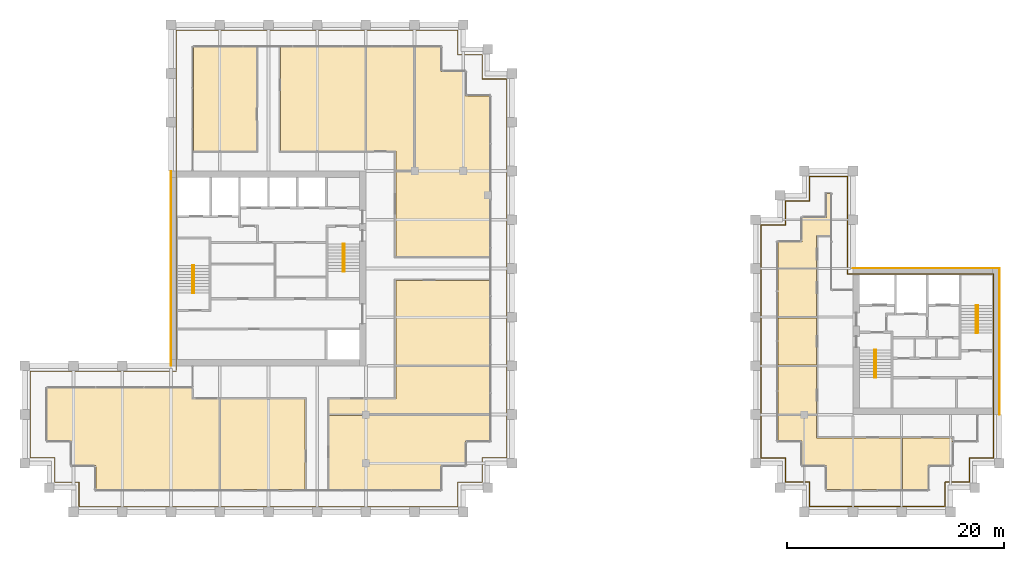
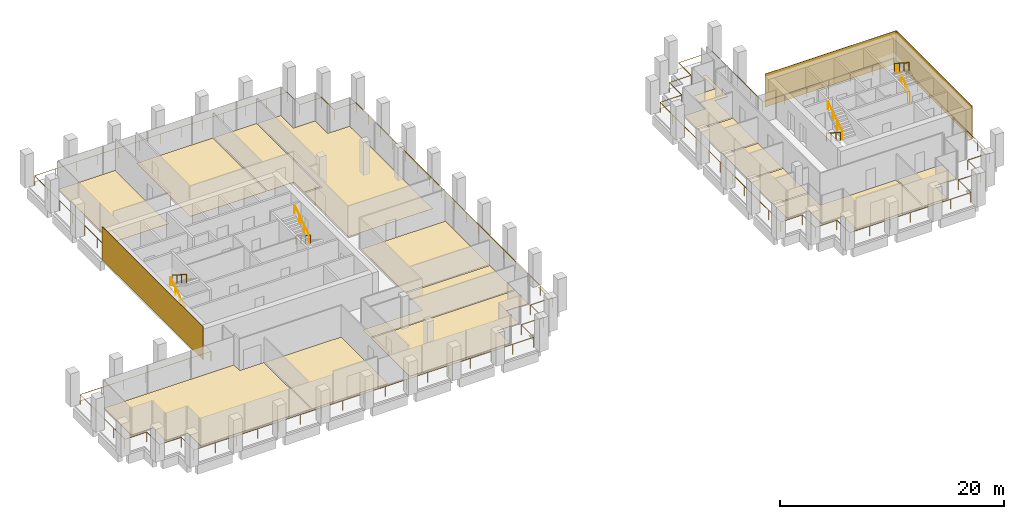
# One storey, part 40 of 40: 18 coverings, 10 railings.
"""IFC4 building model written with IfcOpenShell, lengths in metres."""

import ifcopenshell
import ifcopenshell.guid

model = None  # the IFC model being written
_history = None  # IfcOwnerHistory: only IFC2X3 demands one
_inside = {}  # id of a spatial element -> (the spatial element, [elements in it])
_under = {}  # id of a project, library or spatial element -> (it, [spatial elements below it])
_declared = {}  # id of a project -> (the project, [libraries it declares])
_typed = {}  # id of a type object -> (the type object, [elements of that type])
_made_of = {}  # id of a material, layer set ... -> (it, [elements and type objects made of it])


def new_model(schema):
    """Start an empty IFC model of exactly this schema.

    Asked for "IFC4X3", IfcOpenShell would pick the latest addendum, in which some entities
    have other attributes; the version numbers below select the first issue.
    IFC2X3 requires an IfcOwnerHistory on every rooted entity: one is made here for all.
    """
    global model, _history
    if schema == "IFC4X3":
        model = ifcopenshell.file(schema_version=(4, 3, 0, 0))
    else:
        model = ifcopenshell.file(schema=schema)
    _inside.clear()
    _under.clear()
    _declared.clear()
    _typed.clear()
    _made_of.clear()
    _history = None
    if model.schema == "IFC2X3":
        org = make("IfcOrganization", Name="unknown")
        user = make(
            "IfcPersonAndOrganization",
            ThePerson=make("IfcPerson", FamilyName="unknown"),
            TheOrganization=org,
        )
        app = make(
            "IfcApplication",
            ApplicationDeveloper=org,
            Version="unknown",
            ApplicationFullName="unknown",
            ApplicationIdentifier="unknown",
        )
        _history = make(
            "IfcOwnerHistory",
            OwningUser=user,
            OwningApplication=app,
            ChangeAction="ADDED",
            CreationDate=0,
        )
    return model


def make(cls, **values):
    """One entity of the class cls with the attributes given. An attribute that is None is left unset."""
    return model.create_entity(
        cls, **{name: value for name, value in values.items() if value is not None}
    )


def rooted(cls, **values):
    """An entity with a GlobalId (a new one), such as an element, a storey or a relation."""
    return make(cls, GlobalId=ifcopenshell.guid.new(), OwnerHistory=_history, **values)


def si_unit(unit_type, name, prefix=None):
    """IfcSIUnit, for example si_unit("LENGTHUNIT", "METRE", prefix="MILLI")."""
    return make("IfcSIUnit", UnitType=unit_type, Prefix=prefix, Name=name)


def assignment(units):
    """IfcUnitAssignment: the units of a project."""
    return None if units is None else make("IfcUnitAssignment", Units=units)


def point(xyz):
    """IfcCartesianPoint."""
    return None if xyz is None else make("IfcCartesianPoint", Coordinates=xyz)


def direction(xyz):
    """IfcDirection."""
    return None if xyz is None else make("IfcDirection", DirectionRatios=xyz)


def frame(location, z_axis=None, x_axis=None):
    """IfcAxis2Placement3D, a coordinate frame: its origin and axes. An axis left out is left unset."""
    return make(
        "IfcAxis2Placement3D",
        Location=point(location),
        Axis=direction(z_axis),
        RefDirection=direction(x_axis),
    )


def frame_2d(location, x_axis=None):
    """IfcAxis2Placement2D, a coordinate frame in the plane: its origin and x axis."""
    return make(
        "IfcAxis2Placement2D", Location=point(location), RefDirection=direction(x_axis)
    )


def origin():
    """The frame at (0, 0, 0) with its axes left unset."""
    return frame((0.0, 0.0, 0.0))


def origin_2d():
    """The frame at (0, 0) in the plane with its x axis left unset."""
    return frame_2d((0.0, 0.0))


def place(relative_to, where):
    """IfcLocalPlacement: puts the frame where relative to a parent placement (None: the world)."""
    return make(
        "IfcLocalPlacement", PlacementRelTo=relative_to, RelativePlacement=where
    )


def context(
    kind, dimensions, precision=None, world=None, true_north=None, identifier=None
):
    """IfcGeometricRepresentationContext, for example the 3D "Model" context."""
    return make(
        "IfcGeometricRepresentationContext",
        ContextIdentifier=identifier,
        ContextType=kind,
        CoordinateSpaceDimension=dimensions,
        Precision=precision,
        WorldCoordinateSystem=world,
        TrueNorth=true_north,
    )


def subcontext(parent, identifier, kind, view, scale=None):
    """IfcGeometricRepresentationSubContext, for example "Body" below "Model"."""
    return make(
        "IfcGeometricRepresentationSubContext",
        ContextIdentifier=identifier,
        ContextType=kind,
        ParentContext=parent,
        TargetScale=scale,
        TargetView=view,
    )


def project(units=None, contexts=None):
    """IfcProject with its units and contexts."""
    return rooted(
        "IfcProject",
        Name="project",
        RepresentationContexts=contexts,
        UnitsInContext=assignment(units),
    )


def spatial(cls, under=None, at=None, **own):
    """A site, building, storey or space (cls), placed at a placement, below another one or the project."""
    s = rooted(cls, ObjectPlacement=at, **own)
    if under is not None:
        _under.setdefault(under.id(), (under, []))[1].append(s)
    return s


def polyline(points):
    """IfcPolyline through the points."""
    return make("IfcPolyline", Points=[point(p) for p in points])


def profile(cls, at=None, kind="AREA", **sizes):
    """A parametric profile (cls). Its sizes go by their IFC names, for example OverallWidth=200.0."""
    return make(cls, ProfileType=kind, Position=at, **sizes)


def rectangle(**sizes):
    """IfcRectangleProfileDef."""
    return profile("IfcRectangleProfileDef", **sizes)


def circle(**sizes):
    """IfcCircleProfileDef."""
    return profile("IfcCircleProfileDef", **sizes)


def outline(outer, holes=None, kind="AREA"):
    """IfcArbitraryClosedProfileDef: a profile drawn as a closed curve; with holes, ...WithVoids."""
    if holes is None:
        return make("IfcArbitraryClosedProfileDef", ProfileType=kind, OuterCurve=outer)
    return make(
        "IfcArbitraryProfileDefWithVoids",
        ProfileType=kind,
        OuterCurve=outer,
        InnerCurves=holes,
    )


def extrude(swept, where, along, depth):
    """IfcExtrudedAreaSolid: the profile swept, set in the frame where, extruded along a direction by depth."""
    return make(
        "IfcExtrudedAreaSolid",
        SweptArea=swept,
        Position=where,
        ExtrudedDirection=direction(along),
        Depth=depth,
    )


def shape(context_of_items, identifier, shape_type, items):
    """IfcShapeRepresentation: the items that make up one representation, for example the "Body"."""
    return make(
        "IfcShapeRepresentation",
        ContextOfItems=context_of_items,
        RepresentationIdentifier=identifier,
        RepresentationType=shape_type,
        Items=items,
    )


def source(mapping_origin, context_of_items, identifier, shape_type, items):
    """IfcRepresentationMap: a shape defined once, which mapped items show again and again."""
    return make(
        "IfcRepresentationMap",
        MappingOrigin=mapping_origin,
        MappedRepresentation=shape(context_of_items, identifier, shape_type, items),
    )


def transform(
    local_origin,
    x_axis=None,
    y_axis=None,
    z_axis=None,
    scale=None,
    scale2=None,
    scale3=None,
    uniform=True,
):
    """IfcCartesianTransformationOperator3D, or its non-uniform kind. x_axis, y_axis, z_axis: its Axis1, 2, 3."""
    if uniform:
        return make(
            "IfcCartesianTransformationOperator3D",
            Axis1=direction(x_axis),
            Axis2=direction(y_axis),
            LocalOrigin=point(local_origin),
            Scale=scale,
            Axis3=direction(z_axis),
        )
    return make(
        "IfcCartesianTransformationOperator3DnonUniform",
        Axis1=direction(x_axis),
        Axis2=direction(y_axis),
        LocalOrigin=point(local_origin),
        Scale=scale,
        Axis3=direction(z_axis),
        Scale2=scale2,
        Scale3=scale3,
    )


def mapped(mapping_source, mapping_target):
    """IfcMappedItem: shows the shape of a source again, moved by a transform."""
    return make(
        "IfcMappedItem", MappingSource=mapping_source, MappingTarget=mapping_target
    )


def material(Name=None, Category=None):
    """IfcMaterial."""
    return make("IfcMaterial", Name=Name, Category=Category)


def layer(
    of_material, thickness, ventilated=None, Name=None, Category=None, Priority=None
):
    """IfcMaterialLayer: one layer of a wall or slab, of a material (None: an air gap)."""
    return make(
        "IfcMaterialLayer",
        Material=of_material,
        LayerThickness=thickness,
        IsVentilated=ventilated,
        Name=Name,
        Category=Category,
        Priority=Priority,
    )


def layer_set(layers, Name=None):
    """IfcMaterialLayerSet."""
    return make("IfcMaterialLayerSet", MaterialLayers=layers, LayerSetName=Name)


def made_of(thing, what):
    """Note that an element or type object is made of a material, layer set ...; save() writes the relation."""
    if what is not None:
        _made_of.setdefault(what.id(), (what, []))[1].append(thing)
    return thing


def type_object(cls, material=None, **own):
    """A type object (cls), such as IfcWallType, which elements share."""
    return made_of(rooted(cls, **own), material)


def element(
    cls,
    number,
    at=None,
    inside=None,
    cuts=None,
    type_object=None,
    material=None,
    context=None,
    identifier="Body",
    shape_type=None,
    held_by="IfcProductDefinitionShape",
    body=None,
    shapes=None,
    **own,
):
    """One element of the class cls, such as IfcWall. Its Tag is "e" and its number.

    at: its placement. inside: the storey or other place that contains it. cuts: it is an
    opening in that element (IfcRelVoidsElement). A single representation is given by context,
    identifier, shape_type and body (its items); several are given by shapes. held_by: the class
    of the entity that holds the representations. save() writes the other relations.
    """
    e = rooted(cls, Tag="e%d" % number, ObjectPlacement=at, **own)
    if body is not None:
        shapes = [shape(context, identifier, shape_type, body)]
    if shapes is not None:
        e.Representation = make(held_by, Representations=shapes)
    if inside is not None:
        _inside.setdefault(inside.id(), (inside, []))[1].append(e)
    if cuts is not None:
        rooted(
            "IfcRelVoidsElement", RelatingBuildingElement=cuts, RelatedOpeningElement=e
        )
    if type_object is not None:
        _typed.setdefault(type_object.id(), (type_object, []))[1].append(e)
    return made_of(e, material)


def aggregate(whole, parts):
    """IfcRelAggregates: a whole, such as a stair, and the parts it consists of."""
    return rooted("IfcRelAggregates", RelatingObject=whole, RelatedObjects=parts)


def save(model, path):
    """Write the relations noted so far, then the file.

    IfcRelAggregates (storeys below a building ...), IfcRelContainedInSpatialStructure (elements
    in a storey), IfcRelDefinesByType, IfcRelAssociatesMaterial and IfcRelDeclares: one each for
    every whole, place, type object, material and project.
    """
    for whole, parts in _under.values():
        aggregate(whole, parts)
    for where, things in _inside.values():
        rooted(
            "IfcRelContainedInSpatialStructure",
            RelatedElements=things,
            RelatingStructure=where,
        )
    for kind, things in _typed.values():
        rooted("IfcRelDefinesByType", RelatedObjects=things, RelatingType=kind)
    for what, things in _made_of.values():
        rooted("IfcRelAssociatesMaterial", RelatedObjects=things, RelatingMaterial=what)
    for by, libraries in _declared.values():
        rooted("IfcRelDeclares", RelatingContext=by, RelatedDefinitions=libraries)
    model.write(path)


model = new_model("IFC4")

# Units and contexts
model_context = context("Model", 3, precision=1e-05, world=origin(), true_north=direction((0.0, 1.0)))
body_context = subcontext(model_context, "Body", "Model", "MODEL_VIEW")
ifc_project = project(units=[si_unit("LENGTHUNIT", "METRE"), si_unit("AREAUNIT", "SQUARE_METRE"), si_unit("VOLUMEUNIT", "CUBIC_METRE"), si_unit("PLANEANGLEUNIT", "RADIAN"), si_unit("MASSUNIT", "GRAM", prefix="KILO")], contexts=[model_context])

# Site, building, storey
site_placement = place(None, origin())
site = spatial("IfcSite", under=ifc_project, at=site_placement, CompositionType="ELEMENT")
building_placement = place(site_placement, origin())
building = spatial("IfcBuilding", under=site, at=building_placement, Name="Altepetl Exchange Towers", CompositionType="ELEMENT")
storey_placement = place(building_placement, frame((0.0, 0.0, 183.39990234375)))
storey = spatial("IfcBuildingStorey", under=building, at=storey_placement, Name="L46", CompositionType="ELEMENT", Elevation=183.39990234375)

# Coverings
ifc_material_1 = material(Name="Carpet tile")
ifc_layer_1 = layer(ifc_material_1, 0.02001953125)
ifc_layer_set_1 = layer_set([ifc_layer_1], Name="Carpet tile")
covering_type_1 = type_object("IfcCoveringType", Name="Carpet tile floor", PredefinedType="FLOORING", material=ifc_layer_set_1)
covering_1_placement = place(storey_placement, origin())
element("IfcCovering", 1, at=covering_1_placement, inside=storey, type_object=covering_type_1, Name="Fund office floor finish A46.02", PredefinedType="FLOORING", context=body_context, shape_type="SweptSolid", body=[
    extrude(outline(polyline([(45.0625, 37.4375), (45.0625, 29.0625), (52.887451171875, 29.0625), (52.887451171875, 37.4375), (45.0625, 37.4375)])), origin(), (0.0, 0.0, 1.0), 0.02001953125),
])
covering_2_placement = place(storey_placement, origin())
element("IfcCovering", 2, at=covering_2_placement, inside=storey, type_object=covering_type_1, Name="Print room floor finish A46.04", PredefinedType="FLOORING", context=body_context, shape_type="SweptSolid", body=[
    extrude(outline(polyline([(55.112548828125, 36.0625), (69.9375, 36.0625), (69.9375, 40.4375), (61.262451171875, 40.4375), (61.262451171875, 37.4375), (55.112548828125, 37.4375), (55.112548828125, 36.0625)])), origin(), (0.0, 0.0, 1.0), 0.02001953125),
])
covering_3_placement = place(storey_placement, origin())
element("IfcCovering", 3, at=covering_3_placement, inside=storey, type_object=covering_type_1, Name="Open office floor finish A46.05", PredefinedType="FLOORING", context=body_context, shape_type="SweptSolid", body=[
    extrude(outline(polyline([(61.262451171875, 40.5625), (69.9375, 40.5625), (69.9375, 48.387451171875), (61.262451171875, 48.387451171875), (61.262451171875, 40.5625)])), origin(), (0.0, 0.0, 1.0), 0.02001953125),
])
covering_4_placement = place(storey_placement, origin())
element("IfcCovering", 4, at=covering_4_placement, inside=storey, type_object=covering_type_1, Name="Fund office floor finish A46.06", PredefinedType="FLOORING", context=body_context, shape_type="SweptSolid", body=[
    extrude(outline(polyline([(61.262451171875, 50.612548828125), (69.9375, 50.612548828125), (69.9375, 65.4375), (67.6875, 65.4375), (67.6875, 67.6875), (65.4375, 67.6875), (65.4375, 69.9375), (63.0625, 69.9375), (63.0625, 58.4375), (61.262451171875, 58.4375), (61.262451171875, 50.612548828125)])), origin(), (0.0, 0.0, 1.0), 0.02001953125),
])
covering_5_placement = place(storey_placement, origin())
element("IfcCovering", 5, at=covering_5_placement, inside=storey, type_object=covering_type_1, Name="Huddle room floor finish A46.08", PredefinedType="FLOORING", context=body_context, shape_type="SweptSolid", body=[
    extrude(outline(polyline([(42.5625, 60.362548828125), (48.387451171875, 60.362548828125), (48.387451171875, 69.9375), (42.5625, 69.9375), (42.5625, 60.362548828125)])), origin(), (0.0, 0.0, 1.0), 0.02001953125),
])
covering_6_placement = place(storey_placement, origin())
element("IfcCovering", 6, at=covering_6_placement, inside=storey, type_object=covering_type_1, Name="Fund office floor finish B46.01", PredefinedType="FLOORING", context=body_context, shape_type="SweptSolid", body=[
    extrude(outline(polyline([(96.5625, 40.5625), (100.137451171875, 40.5625), (100.137451171875, 44.9375), (96.5625, 44.9375), (96.5625, 40.5625)])), origin(), (0.0, 0.0, 1.0), 0.02001953125),
])
covering_7_placement = place(storey_placement, origin())
element("IfcCovering", 7, at=covering_7_placement, inside=storey, type_object=covering_type_1, Name="Fund office floor finish B46.02", PredefinedType="FLOORING", context=body_context, shape_type="SweptSolid", body=[
    extrude(outline(polyline([(96.5625, 36.0625), (100.137451171875, 36.0625), (100.137451171875, 40.4375), (96.5625, 40.4375), (96.5625, 36.0625)])), origin(), (0.0, 0.0, 1.0), 0.02001953125),
])
covering_8_placement = place(storey_placement, origin())
element("IfcCovering", 8, at=covering_8_placement, inside=storey, type_object=covering_type_1, Name="Open office floor finish B46.03", PredefinedType="FLOORING", context=body_context, shape_type="SweptSolid", body=[
    extrude(outline(polyline([(98.8125, 33.5625), (98.8125, 31.3125), (101.0625, 31.3125), (101.0625, 29.0625), (107.9375, 29.0625), (107.9375, 33.83740234375), (100.137451171875, 33.83740234375), (100.137451171875, 35.9375), (96.5625, 35.9375), (96.5625, 33.5625), (98.8125, 33.5625)])), origin(), (0.0, 0.0, 1.0), 0.02001953125),
])
covering_9_placement = place(storey_placement, origin())
element("IfcCovering", 9, at=covering_9_placement, inside=storey, type_object=covering_type_1, Name="Meeting room floor finish B46.05", PredefinedType="FLOORING", context=body_context, shape_type="SweptSolid", body=[
    extrude(outline(polyline([(96.5625, 49.5625), (100.137451171875, 49.5625), (100.137451171875, 52.5625), (101.4375, 52.5625), (101.4375, 56.4375), (101.0625, 56.4375), (101.0625, 54.1875), (98.8125, 54.1875), (98.8125, 51.9375), (96.5625, 51.9375), (96.5625, 49.5625)])), origin(), (0.0, 0.0, 1.0), 0.02001953125),
])
covering_10_placement = place(storey_placement, origin())
element("IfcCovering", 10, at=covering_10_placement, inside=storey, type_object=covering_type_1, Name="Fund office floor finish B46.06", PredefinedType="FLOORING", context=body_context, shape_type="SweptSolid", body=[
    extrude(outline(polyline([(96.5625, 45.0625), (100.137451171875, 45.0625), (100.137451171875, 49.4375), (96.5625, 49.4375), (96.5625, 45.0625)])), origin(), (0.0, 0.0, 1.0), 0.02001953125),
])
ifc_material_2 = material(Name="Cantera stone", Category="masonry")
ifc_layer_2 = layer(ifc_material_2, 0.030029296875)
ifc_layer_set_2 = layer_set([ifc_layer_2], Name="Cantera stone")
covering_type_2 = type_object("IfcCoveringType", Name="Polished stone floor", PredefinedType="FLOORING", material=ifc_layer_set_2)
covering_11_placement = place(storey_placement, origin())
element("IfcCovering", 11, at=covering_11_placement, inside=storey, type_object=covering_type_2, Name="Staff club floor finish A46.03", PredefinedType="FLOORING", context=body_context, shape_type="SweptSolid", body=[
    extrude(outline(polyline([(44.9375, 37.4375), (42.4375, 37.4375), (42.4375, 38.4375), (29.0625, 38.4375), (29.0625, 33.5625), (31.3125, 33.5625), (31.3125, 31.3125), (33.5625, 31.3125), (33.5625, 29.0625), (44.9375, 29.0625), (44.9375, 37.4375)])), origin(), (0.0, 0.0, 1.0), 0.030029296875),
])
covering_12_placement = place(storey_placement, origin())
element("IfcCovering", 12, at=covering_12_placement, inside=storey, type_object=covering_type_2, Name="Library floor finish A46.09", PredefinedType="FLOORING", context=body_context, shape_type="SweptSolid", body=[
    extrude(outline(polyline([(58.4375, 60.362548828125), (58.4375, 69.9375), (50.612548828125, 69.9375), (50.612548828125, 60.362548828125), (58.4375, 60.362548828125)])), origin(), (0.0, 0.0, 1.0), 0.030029296875),
])
covering_13_placement = place(storey_placement, origin())
element("IfcCovering", 13, at=covering_13_placement, inside=storey, type_object=covering_type_2, Name="Cafe floor finish B46.04", PredefinedType="FLOORING", context=body_context, shape_type="SweptSolid", body=[
    extrude(outline(polyline([(108.0625, 33.83740234375), (108.0625, 29.0625), (110.4375, 29.0625), (110.4375, 31.3125), (112.6875, 31.3125), (112.6875, 33.83740234375), (108.0625, 33.83740234375)])), origin(), (0.0, 0.0, 1.0), 0.030029296875),
])
ifc_material_3 = material(Name="Calcium sulphate access floor panel")
ifc_layer_3 = layer(ifc_material_3, 0.0400390625)
ifc_layer_set_3 = layer_set([ifc_layer_3], Name="Calcium sulphate access floor panel")
covering_type_3 = type_object("IfcCoveringType", Name="Raised access floor panels", PredefinedType="FLOORING", material=ifc_layer_set_3)
covering_14_placement = place(storey_placement, origin())
element("IfcCovering", 14, at=covering_14_placement, inside=storey, type_object=covering_type_3, Name="Treasury office floor finish A46.01", PredefinedType="FLOORING", context=body_context, shape_type="SweptSolid", body=[
    extrude(outline(polyline([(67.6875, 31.3125), (67.6875, 33.5625), (69.9375, 33.5625), (69.9375, 35.9375), (55.112548828125, 35.9375), (55.112548828125, 29.0625), (65.4375, 29.0625), (65.4375, 31.3125), (67.6875, 31.3125)])), origin(), (0.0, 0.0, 1.0), 0.0400390625),
])
covering_15_placement = place(storey_placement, origin())
element("IfcCovering", 15, at=covering_15_placement, inside=storey, type_object=covering_type_3, Name="Data room floor finish A46.07", PredefinedType="FLOORING", context=body_context, shape_type="SweptSolid", body=[
    extrude(outline(polyline([(61.262451171875, 58.5625), (62.9375, 58.5625), (62.9375, 69.9375), (58.5625, 69.9375), (58.5625, 60.362548828125), (61.262451171875, 60.362548828125), (61.262451171875, 58.5625)])), origin(), (0.0, 0.0, 1.0), 0.0400390625),
])
ifc_material_4 = material(Name="Cantera limestone cladding", Category="masonry")
ifc_layer_4 = layer(ifc_material_4, 0.0400390625)
ifc_layer_set_4 = layer_set([ifc_layer_4], Name="Cantera limestone cladding")
covering_type_4 = type_object("IfcCoveringType", Name="Stone panel 40 cantera", PredefinedType="CLADDING", material=ifc_layer_set_4)
covering_16_placement = place(storey_placement, frame((40.47998046875, 49.5, 0.0), z_axis=(0.0, 0.0, 1.0), x_axis=(0.0, -1.0, 0.0)))
element("IfcCovering", 16, at=covering_16_placement, inside=storey, type_object=covering_type_4, Name="Stone cladding panel", PredefinedType="CLADDING", context=body_context, shape_type="SweptSolid", body=[
    extrude(rectangle(XDim=18.0, YDim=0.0400390625, at=origin_2d()), origin(), (0.0, 0.0, 1.0), 3.60009765625),
])
for number, where, z_axis, x_axis, name in (
    (17, (117.02001953125, 42.75, 0.0), (0.0, 0.0, 1.0), (0.0, 1.0, 0.0), "Stone cladding panel"),
    (18, (110.25, 49.52001953125, 0.0), (0.0, 0.0, 1.0), (-1.0, 0.0, 0.0), "Stone cladding panel"),
):
    element("IfcCovering", number, at=place(storey_placement, frame(where, z_axis=z_axis, x_axis=x_axis)), inside=storey, type_object=covering_type_4, Name=name, PredefinedType="CLADDING", context=body_context, shape_type="SweptSolid", body=[
        extrude(rectangle(XDim=13.5, YDim=0.0400390625, at=origin_2d()), origin(), (0.0, 0.0, 1.0), 3.60009765625),
    ])

# Railings
ifc_material_5 = material(Name="Steel S355", Category="steel")
railing_type_1 = type_object("IfcRailingType", Name="Guard 1100 steel posts and rail", PredefinedType="GUARDRAIL", material=ifc_material_5)
shared_shape_1 = source(origin(), body_context, "Body", "SweptSolid", [
    extrude(circle(Radius=0.02099609375, at=origin_2d()), origin(), (0.0, 0.0, 1.0), 1.052001953125),
])
railing_1_placement = place(storey_placement, frame((41.0, 40.0, 0.0)))
element("IfcRailing", 19, at=railing_1_placement, inside=storey, type_object=railing_type_1, Name="Loggia guard", PredefinedType="GUARDRAIL", context=body_context, shape_type="SweptSolid", body=[
    extrude(circle(Radius=0.02392578125, at=origin_2d()), frame((0.0, 0.0, 1.076171875), z_axis=(-1.0, 0.0, 0.0), x_axis=(0.0, -1.0, 0.0)), (0.0, 0.0, 1.0), 13.5),
    extrude(circle(Radius=0.02392578125, at=origin_2d()), frame((-13.5, 0.0, 1.076171875), z_axis=(0.0, -1.0, 0.0), x_axis=(1.0, 0.0, 0.0)), (0.0, 0.0, 1.0), 8.0),
    extrude(circle(Radius=0.02392578125, at=origin_2d()), frame((-13.5, -8.0, 1.076171875), z_axis=(1.0, 0.0, 0.0), x_axis=(0.0, 1.0, 0.0)), (0.0, 0.0, 1.0), 2.25),
    extrude(circle(Radius=0.02392578125, at=origin_2d()), frame((-11.25, -8.0, 1.076171875), z_axis=(0.0, -1.0, 0.0), x_axis=(1.0, 0.0, 0.0)), (0.0, 0.0, 1.0), 2.25),
    extrude(circle(Radius=0.02392578125, at=origin_2d()), frame((-11.25, -10.25, 1.076171875), z_axis=(1.0, 0.0, 0.0), x_axis=(0.0, 1.0, 0.0)), (0.0, 0.0, 1.0), 2.25),
    extrude(circle(Radius=0.02392578125, at=origin_2d()), frame((-9.0, -10.25, 1.076171875), z_axis=(0.0, -1.0, 0.0), x_axis=(1.0, 0.0, 0.0)), (0.0, 0.0, 1.0), 2.25),
    extrude(circle(Radius=0.02392578125, at=origin_2d()), frame((-9.0, -12.5, 1.076171875), z_axis=(1.0, 0.0, 0.0), x_axis=(0.0, 1.0, 0.0)), (0.0, 0.0, 1.0), 35.0),
    extrude(circle(Radius=0.02392578125, at=origin_2d()), frame((26.0, -12.5, 1.076171875), z_axis=(0.0, 1.0, 0.0), x_axis=(-1.0, 0.0, 0.0)), (0.0, 0.0, 1.0), 2.25),
    extrude(circle(Radius=0.02392578125, at=origin_2d()), frame((26.0, -10.25, 1.076171875), z_axis=(1.0, 0.0, 0.0), x_axis=(0.0, 1.0, 0.0)), (0.0, 0.0, 1.0), 2.25),
    extrude(circle(Radius=0.02392578125, at=origin_2d()), frame((28.25, -10.25, 1.076171875), z_axis=(0.0, 1.0, 0.0), x_axis=(-1.0, 0.0, 0.0)), (0.0, 0.0, 1.0), 2.25),
    extrude(circle(Radius=0.02392578125, at=origin_2d()), frame((28.25, -8.0, 1.076171875), z_axis=(1.0, 0.0, 0.0), x_axis=(0.0, 1.0, 0.0)), (0.0, 0.0, 1.0), 2.25),
    extrude(circle(Radius=0.02392578125, at=origin_2d()), frame((30.5, -8.0, 1.076171875), z_axis=(0.0, 1.0, 0.0), x_axis=(-1.0, 0.0, 0.0)), (0.0, 0.0, 1.0), 35.0),
    extrude(circle(Radius=0.02392578125, at=origin_2d()), frame((30.5, 27.0, 1.076171875), z_axis=(-1.0, 0.0, 0.0), x_axis=(0.0, -1.0, 0.0)), (0.0, 0.0, 1.0), 2.25),
    extrude(circle(Radius=0.02392578125, at=origin_2d()), frame((28.25, 27.0, 1.076171875), z_axis=(0.0, 1.0, 0.0), x_axis=(-1.0, 0.0, 0.0)), (0.0, 0.0, 1.0), 2.25),
    extrude(circle(Radius=0.02392578125, at=origin_2d()), frame((28.25, 29.25, 1.076171875), z_axis=(-1.0, 0.0, 0.0), x_axis=(0.0, -1.0, 0.0)), (0.0, 0.0, 1.0), 2.25),
    extrude(circle(Radius=0.02392578125, at=origin_2d()), frame((26.0, 29.25, 1.076171875), z_axis=(0.0, 1.0, 0.0), x_axis=(-1.0, 0.0, 0.0)), (0.0, 0.0, 1.0), 2.25),
    extrude(circle(Radius=0.02392578125, at=origin_2d()), frame((26.0, 31.5, 1.076171875), z_axis=(-1.0, 0.0, 0.0), x_axis=(0.0, -1.0, 0.0)), (0.0, 0.0, 1.0), 26.0),
    extrude(circle(Radius=0.02392578125, at=origin_2d()), frame((0.0, 31.5, 1.076171875), z_axis=(0.0, -1.0, 0.0), x_axis=(1.0, 0.0, 0.0)), (0.0, 0.0, 1.0), 31.39990234375),
    mapped(shared_shape_1, transform((0.0, 0.0, 0.0))),
    mapped(shared_shape_1, transform((-2.25, 0.0, 0.0))),
    mapped(shared_shape_1, transform((-4.5, 0.0, 0.0))),
    mapped(shared_shape_1, transform((-6.75, 0.0, 0.0))),
    mapped(shared_shape_1, transform((-9.0, 0.0, 0.0))),
    mapped(shared_shape_1, transform((-11.25, 0.0, 0.0))),
    mapped(shared_shape_1, transform((-13.5, 0.0, 0.0))),
    mapped(shared_shape_1, transform((-13.5, -2.0, 0.0))),
    mapped(shared_shape_1, transform((-13.5, -4.0, 0.0))),
    mapped(shared_shape_1, transform((-13.5, -6.0, 0.0))),
    mapped(shared_shape_1, transform((-13.5, -8.0, 0.0))),
    mapped(shared_shape_1, transform((-11.25, -8.0, 0.0))),
    mapped(shared_shape_1, transform((-11.25, -10.25, 0.0))),
    mapped(shared_shape_1, transform((-9.0, -10.25, 0.0))),
    mapped(shared_shape_1, transform((-9.0, -12.5, 0.0))),
    mapped(shared_shape_1, transform((-6.8125, -12.5, 0.0))),
    mapped(shared_shape_1, transform((-4.625, -12.5, 0.0))),
    mapped(shared_shape_1, transform((-2.4375, -12.5, 0.0))),
    mapped(shared_shape_1, transform((-0.25, -12.5, 0.0))),
    mapped(shared_shape_1, transform((1.9375, -12.5, 0.0))),
    mapped(shared_shape_1, transform((4.125, -12.5, 0.0))),
    mapped(shared_shape_1, transform((6.3125, -12.5, 0.0))),
    mapped(shared_shape_1, transform((8.5, -12.5, 0.0))),
    mapped(shared_shape_1, transform((10.6875, -12.5, 0.0))),
    mapped(shared_shape_1, transform((12.875, -12.5, 0.0))),
    mapped(shared_shape_1, transform((15.0625, -12.5, 0.0))),
    mapped(shared_shape_1, transform((17.25, -12.5, 0.0))),
    mapped(shared_shape_1, transform((19.4375, -12.5, 0.0))),
    mapped(shared_shape_1, transform((21.625, -12.5, 0.0))),
    mapped(shared_shape_1, transform((23.8125, -12.5, 0.0))),
    mapped(shared_shape_1, transform((26.0, -12.5, 0.0))),
    mapped(shared_shape_1, transform((26.0, -10.25, 0.0))),
    mapped(shared_shape_1, transform((28.25, -10.25, 0.0))),
    mapped(shared_shape_1, transform((28.25, -8.0, 0.0))),
    mapped(shared_shape_1, transform((30.5, -8.0, 0.0))),
    mapped(shared_shape_1, transform((30.5, -5.8125, 0.0))),
    mapped(shared_shape_1, transform((30.5, -3.625, 0.0))),
    mapped(shared_shape_1, transform((30.5, -1.4375, 0.0))),
    mapped(shared_shape_1, transform((30.5, 0.75, 0.0))),
    mapped(shared_shape_1, transform((30.5, 2.9375, 0.0))),
    mapped(shared_shape_1, transform((30.5, 5.125, 0.0))),
    mapped(shared_shape_1, transform((30.5, 7.3125, 0.0))),
    mapped(shared_shape_1, transform((30.5, 9.5, 0.0))),
    mapped(shared_shape_1, transform((30.5, 11.6875, 0.0))),
    mapped(shared_shape_1, transform((30.5, 13.875, 0.0))),
    mapped(shared_shape_1, transform((30.5, 16.0625, 0.0))),
    mapped(shared_shape_1, transform((30.5, 18.25, 0.0))),
    mapped(shared_shape_1, transform((30.5, 20.4375, 0.0))),
    mapped(shared_shape_1, transform((30.5, 22.625, 0.0))),
    mapped(shared_shape_1, transform((30.5, 24.8125, 0.0))),
    mapped(shared_shape_1, transform((30.5, 27.0, 0.0))),
    mapped(shared_shape_1, transform((28.25, 27.0, 0.0))),
    mapped(shared_shape_1, transform((28.25, 29.25, 0.0))),
    mapped(shared_shape_1, transform((26.0, 29.25, 0.0))),
    mapped(shared_shape_1, transform((26.0, 31.5, 0.0))),
    mapped(shared_shape_1, transform((23.833251953125, 31.5, 0.0))),
    mapped(shared_shape_1, transform((21.666748046875, 31.5, 0.0))),
    mapped(shared_shape_1, transform((19.5, 31.5, 0.0))),
    mapped(shared_shape_1, transform((17.333251953125, 31.5, 0.0))),
    mapped(shared_shape_1, transform((15.166748046875, 31.5, 0.0))),
    mapped(shared_shape_1, transform((13.0, 31.5, 0.0))),
    mapped(shared_shape_1, transform((10.833251953125, 31.5, 0.0))),
    mapped(shared_shape_1, transform((8.666748046875, 31.5, 0.0))),
    mapped(shared_shape_1, transform((6.5, 31.5, 0.0))),
    mapped(shared_shape_1, transform((4.333251953125, 31.5, 0.0))),
    mapped(shared_shape_1, transform((2.166748046875, 31.5, 0.0))),
    mapped(shared_shape_1, transform((0.0, 31.5, 0.0))),
    mapped(shared_shape_1, transform((0.0, 29.257080078125, 0.0))),
    mapped(shared_shape_1, transform((0.0, 27.014404296875, 0.0))),
    mapped(shared_shape_1, transform((0.0, 24.771484375, 0.0))),
    mapped(shared_shape_1, transform((0.0, 22.528564453125, 0.0))),
    mapped(shared_shape_1, transform((0.0, 20.28564453125, 0.0))),
    mapped(shared_shape_1, transform((0.0, 18.04296875, 0.0))),
    mapped(shared_shape_1, transform((0.0, 15.800048828125, 0.0))),
    mapped(shared_shape_1, transform((0.0, 13.55712890625, 0.0))),
    mapped(shared_shape_1, transform((0.0, 11.314453125, 0.0))),
    mapped(shared_shape_1, transform((0.0, 9.071533203125, 0.0))),
    mapped(shared_shape_1, transform((0.0, 6.82861328125, 0.0))),
    mapped(shared_shape_1, transform((0.0, 4.585693359375, 0.0))),
    mapped(shared_shape_1, transform((0.0, 2.343017578125, 0.0))),
    mapped(shared_shape_1, transform((0.0, 0.10009765625, 0.0))),
])
railing_2_placement = place(storey_placement, frame((99.5, 27.5, 0.0)))
element("IfcRailing", 20, at=railing_2_placement, inside=storey, type_object=railing_type_1, Name="Loggia guard", PredefinedType="GUARDRAIL", context=body_context, shape_type="SweptSolid", body=[
    extrude(circle(Radius=0.02392578125, at=origin_2d()), frame((0.0, 0.0, 1.076171875), z_axis=(1.0, 0.0, 0.0), x_axis=(0.0, 1.0, 0.0)), (0.0, 0.0, 1.0), 12.5),
    extrude(circle(Radius=0.02392578125, at=origin_2d()), frame((12.5, 0.0, 1.076171875), z_axis=(0.0, 1.0, 0.0), x_axis=(-1.0, 0.0, 0.0)), (0.0, 0.0, 1.0), 2.25),
    extrude(circle(Radius=0.02392578125, at=origin_2d()), frame((12.5, 2.25, 1.076171875), z_axis=(1.0, 0.0, 0.0), x_axis=(0.0, 1.0, 0.0)), (0.0, 0.0, 1.0), 2.25),
    extrude(circle(Radius=0.02392578125, at=origin_2d()), frame((14.75, 2.25, 1.076171875), z_axis=(0.0, 1.0, 0.0), x_axis=(-1.0, 0.0, 0.0)), (0.0, 0.0, 1.0), 2.25),
    extrude(circle(Radius=0.02392578125, at=origin_2d()), frame((14.75, 4.5, 1.076171875), z_axis=(1.0, 0.0, 0.0), x_axis=(0.0, 1.0, 0.0)), (0.0, 0.0, 1.0), 2.25),
    extrude(circle(Radius=0.02392578125, at=origin_2d()), frame((17.0, 4.5, 1.076171875), z_axis=(0.0, 1.0, 0.0), x_axis=(-1.0, 0.0, 0.0)), (0.0, 0.0, 1.0), 17.0),
    extrude(circle(Radius=0.02392578125, at=origin_2d()), frame((17.0, 21.5, 1.076171875), z_axis=(-1.0, 0.0, 0.0), x_axis=(0.0, -1.0, 0.0)), (0.0, 0.0, 1.0), 13.5),
    extrude(circle(Radius=0.02392578125, at=origin_2d()), frame((3.5, 21.5, 1.076171875), z_axis=(0.0, 1.0, 0.0), x_axis=(-1.0, 0.0, 0.0)), (0.0, 0.0, 1.0), 9.0),
    extrude(circle(Radius=0.02392578125, at=origin_2d()), frame((3.5, 30.5, 1.076171875), z_axis=(-1.0, 0.0, 0.0), x_axis=(0.0, -1.0, 0.0)), (0.0, 0.0, 1.0), 3.5),
    extrude(circle(Radius=0.02392578125, at=origin_2d()), frame((0.0, 30.5, 1.076171875), z_axis=(0.0, -1.0, 0.0), x_axis=(1.0, 0.0, 0.0)), (0.0, 0.0, 1.0), 2.25),
    extrude(circle(Radius=0.02392578125, at=origin_2d()), frame((0.0, 28.25, 1.076171875), z_axis=(-1.0, 0.0, 0.0), x_axis=(0.0, -1.0, 0.0)), (0.0, 0.0, 1.0), 2.25),
    extrude(circle(Radius=0.02392578125, at=origin_2d()), frame((-2.25, 28.25, 1.076171875), z_axis=(0.0, -1.0, 0.0), x_axis=(1.0, 0.0, 0.0)), (0.0, 0.0, 1.0), 2.25),
    extrude(circle(Radius=0.02392578125, at=origin_2d()), frame((-2.25, 26.0, 1.076171875), z_axis=(-1.0, 0.0, 0.0), x_axis=(0.0, -1.0, 0.0)), (0.0, 0.0, 1.0), 2.25),
    extrude(circle(Radius=0.02392578125, at=origin_2d()), frame((-4.5, 26.0, 1.076171875), z_axis=(0.0, -1.0, 0.0), x_axis=(1.0, 0.0, 0.0)), (0.0, 0.0, 1.0), 21.5),
    extrude(circle(Radius=0.02392578125, at=origin_2d()), frame((-4.5, 4.5, 1.076171875), z_axis=(1.0, 0.0, 0.0), x_axis=(0.0, 1.0, 0.0)), (0.0, 0.0, 1.0), 2.25),
    extrude(circle(Radius=0.02392578125, at=origin_2d()), frame((-2.25, 4.5, 1.076171875), z_axis=(0.0, -1.0, 0.0), x_axis=(1.0, 0.0, 0.0)), (0.0, 0.0, 1.0), 2.25),
    extrude(circle(Radius=0.02392578125, at=origin_2d()), frame((-2.25, 2.25, 1.076171875), z_axis=(1.0, 0.0, 0.0), x_axis=(0.0, 1.0, 0.0)), (0.0, 0.0, 1.0), 2.25),
    extrude(circle(Radius=0.02392578125, at=origin_2d()), frame((0.0, 2.25, 1.076171875), z_axis=(0.0, -1.0, 0.0), x_axis=(1.0, 0.0, 0.0)), (0.0, 0.0, 1.0), 2.14990234375),
    mapped(shared_shape_1, transform((0.0, 0.0, 0.0))),
    mapped(shared_shape_1, transform((2.083251953125, 0.0, 0.0))),
    mapped(shared_shape_1, transform((4.166748046875, 0.0, 0.0))),
    mapped(shared_shape_1, transform((6.25, 0.0, 0.0))),
    mapped(shared_shape_1, transform((8.333251953125, 0.0, 0.0))),
    mapped(shared_shape_1, transform((10.416748046875, 0.0, 0.0))),
    mapped(shared_shape_1, transform((12.5, 0.0, 0.0))),
    mapped(shared_shape_1, transform((12.5, 2.25, 0.0))),
    mapped(shared_shape_1, transform((14.75, 2.25, 0.0))),
    mapped(shared_shape_1, transform((14.75, 4.5, 0.0))),
    mapped(shared_shape_1, transform((17.0, 4.5, 0.0))),
    mapped(shared_shape_1, transform((17.0, 6.625, 0.0))),
    mapped(shared_shape_1, transform((17.0, 8.75, 0.0))),
    mapped(shared_shape_1, transform((17.0, 10.875, 0.0))),
    mapped(shared_shape_1, transform((17.0, 13.0, 0.0))),
    mapped(shared_shape_1, transform((17.0, 15.125, 0.0))),
    mapped(shared_shape_1, transform((17.0, 17.25, 0.0))),
    mapped(shared_shape_1, transform((17.0, 19.375, 0.0))),
    mapped(shared_shape_1, transform((17.0, 21.5, 0.0))),
    mapped(shared_shape_1, transform((14.75, 21.5, 0.0))),
    mapped(shared_shape_1, transform((12.5, 21.5, 0.0))),
    mapped(shared_shape_1, transform((10.25, 21.5, 0.0))),
    mapped(shared_shape_1, transform((8.0, 21.5, 0.0))),
    mapped(shared_shape_1, transform((5.75, 21.5, 0.0))),
    mapped(shared_shape_1, transform((3.5, 21.5, 0.0))),
    mapped(shared_shape_1, transform((3.5, 23.75, 0.0))),
    mapped(shared_shape_1, transform((3.5, 26.0, 0.0))),
    mapped(shared_shape_1, transform((3.5, 28.25, 0.0))),
    mapped(shared_shape_1, transform((3.5, 30.5, 0.0))),
    mapped(shared_shape_1, transform((1.75, 30.5, 0.0))),
    mapped(shared_shape_1, transform((0.0, 30.5, 0.0))),
    mapped(shared_shape_1, transform((0.0, 28.25, 0.0))),
    mapped(shared_shape_1, transform((-2.25, 28.25, 0.0))),
    mapped(shared_shape_1, transform((-2.25, 26.0, 0.0))),
    mapped(shared_shape_1, transform((-4.5, 26.0, 0.0))),
    mapped(shared_shape_1, transform((-4.5, 23.85009765625, 0.0))),
    mapped(shared_shape_1, transform((-4.5, 21.699951171875, 0.0))),
    mapped(shared_shape_1, transform((-4.5, 19.550048828125, 0.0))),
    mapped(shared_shape_1, transform((-4.5, 17.39990234375, 0.0))),
    mapped(shared_shape_1, transform((-4.5, 15.25, 0.0))),
    mapped(shared_shape_1, transform((-4.5, 13.10009765625, 0.0))),
    mapped(shared_shape_1, transform((-4.5, 10.949951171875, 0.0))),
    mapped(shared_shape_1, transform((-4.5, 8.800048828125, 0.0))),
    mapped(shared_shape_1, transform((-4.5, 6.64990234375, 0.0))),
    mapped(shared_shape_1, transform((-4.5, 4.5, 0.0))),
    mapped(shared_shape_1, transform((-2.25, 4.5, 0.0))),
    mapped(shared_shape_1, transform((-2.25, 2.25, 0.0))),
    mapped(shared_shape_1, transform((0.0, 2.25, 0.0))),
    mapped(shared_shape_1, transform((0.0, 0.10009765625, 0.0))),
])
ifc_material_6 = material(Name="Steel", Category="steel")
railing_type_2 = type_object("IfcRailingType", Name="Stair handrail 50 steel tube", PredefinedType="HANDRAIL", material=ifc_material_6)
shared_shape_2 = source(origin(), body_context, "Body", "SweptSolid", [
    extrude(circle(Radius=0.02099609375, at=origin_2d()), origin(), (0.0, 0.0, 1.0), 0.851806640625),
])
railing_3_placement = place(storey_placement, frame((42.469970703125, 47.25, 0.18017578125)))
element("IfcRailing", 21, at=railing_3_placement, inside=storey, type_object=railing_type_2, Name="Stair handrail", PredefinedType="HANDRAIL", context=body_context, shape_type="SweptSolid", body=[
    extrude(circle(Radius=0.02392578125, at=origin_2d()), frame((0.0, 0.0, 0.8759765625), z_axis=(0.0, 0.841199657755, 0.540724639528), x_axis=(-1.0, 0.0, 0.0)), (0.0, 0.0, 1.0), 2.995849609375),
    mapped(shared_shape_2, transform((0.0, 0.0, 0.0))),
    mapped(shared_shape_2, transform((0.0, 0.840087890625, 0.5400390625))),
    mapped(shared_shape_2, transform((0.0, 1.679931640625, 1.079833984375))),
    mapped(shared_shape_2, transform((0.0, 2.52001953125, 1.619873046875))),
])
railing_4_placement = place(storey_placement, frame((42.6298828125, 49.77001953125, 1.97998046875)))
element("IfcRailing", 22, at=railing_4_placement, inside=storey, type_object=railing_type_2, Name="Stair handrail", PredefinedType="HANDRAIL", context=body_context, shape_type="SweptSolid", body=[
    extrude(circle(Radius=0.02392578125, at=origin_2d()), frame((0.0, 0.0, 0.8759765625), z_axis=(0.0, -0.841162588446, 0.540782303519), x_axis=(1.0, 0.0, 0.0)), (0.0, 0.0, 1.0), 2.995849609375),
    mapped(shared_shape_2, transform((0.0, 0.0, 0.0))),
    mapped(shared_shape_2, transform((0.0, -0.840087890625, 0.5400390625))),
    mapped(shared_shape_2, transform((0.0, -1.679931640625, 1.080078125))),
    mapped(shared_shape_2, transform((0.0, -2.52001953125, 1.6201171875))),
])
railing_5_placement = place(storey_placement, frame((56.530029296875, 51.75, 0.18017578125)))
element("IfcRailing", 23, at=railing_5_placement, inside=storey, type_object=railing_type_2, Name="Stair handrail", PredefinedType="HANDRAIL", context=body_context, shape_type="SweptSolid", body=[
    extrude(circle(Radius=0.02392578125, at=origin_2d()), frame((0.0, 0.0, 0.8759765625), z_axis=(0.0, -0.841199657755, 0.540724639528), x_axis=(1.0, 0.0, 0.0)), (0.0, 0.0, 1.0), 2.995849609375),
    mapped(shared_shape_2, transform((0.0, 0.0, 0.0))),
    mapped(shared_shape_2, transform((0.0, -0.840087890625, 0.5400390625))),
    mapped(shared_shape_2, transform((0.0, -1.679931640625, 1.079833984375))),
    mapped(shared_shape_2, transform((0.0, -2.52001953125, 1.619873046875))),
])
railing_6_placement = place(storey_placement, frame((56.3701171875, 49.22998046875, 1.97998046875)))
element("IfcRailing", 24, at=railing_6_placement, inside=storey, type_object=railing_type_2, Name="Stair handrail", PredefinedType="HANDRAIL", context=body_context, shape_type="SweptSolid", body=[
    extrude(circle(Radius=0.02392578125, at=origin_2d()), frame((0.0, 0.0, 0.8759765625), z_axis=(0.0, 0.841162588446, 0.540782303519), x_axis=(-1.0, 0.0, 0.0)), (0.0, 0.0, 1.0), 2.995849609375),
    mapped(shared_shape_2, transform((0.0, 0.0, 0.0))),
    mapped(shared_shape_2, transform((0.0, 0.840087890625, 0.5400390625))),
    mapped(shared_shape_2, transform((0.0, 1.679931640625, 1.080078125))),
    mapped(shared_shape_2, transform((0.0, 2.52001953125, 1.6201171875))),
])
railing_7_placement = place(storey_placement, frame((105.469970703125, 41.949951171875, 0.18017578125)))
element("IfcRailing", 25, at=railing_7_placement, inside=storey, type_object=railing_type_2, Name="Stair handrail", PredefinedType="HANDRAIL", context=body_context, shape_type="SweptSolid", body=[
    extrude(circle(Radius=0.02392578125, at=origin_2d()), frame((0.0, 0.0, 0.8759765625), z_axis=(0.0, -0.841199657755, 0.540724639528), x_axis=(1.0, 0.0, 0.0)), (0.0, 0.0, 1.0), 2.995849609375),
    mapped(shared_shape_2, transform((0.0, 0.0, 0.0))),
    mapped(shared_shape_2, transform((0.0, -0.840087890625, 0.5400390625))),
    mapped(shared_shape_2, transform((0.0, -1.679931640625, 1.079833984375))),
    mapped(shared_shape_2, transform((0.0, -2.52001953125, 1.619873046875))),
])
railing_8_placement = place(storey_placement, frame((105.6298828125, 39.429931640625, 1.97998046875)))
element("IfcRailing", 26, at=railing_8_placement, inside=storey, type_object=railing_type_2, Name="Stair handrail", PredefinedType="HANDRAIL", context=body_context, shape_type="SweptSolid", body=[
    extrude(circle(Radius=0.02392578125, at=origin_2d()), frame((0.0, 0.0, 0.8759765625), z_axis=(0.0, 0.841162588446, 0.540782303519), x_axis=(-1.0, 0.0, 0.0)), (0.0, 0.0, 1.0), 2.995849609375),
    mapped(shared_shape_2, transform((0.0, 0.0, 0.0))),
    mapped(shared_shape_2, transform((0.0, 0.840087890625, 0.5400390625))),
    mapped(shared_shape_2, transform((0.0, 1.679931640625, 1.080078125))),
    mapped(shared_shape_2, transform((0.0, 2.52001953125, 1.6201171875))),
])
railing_9_placement = place(storey_placement, frame((115.030029296875, 43.550048828125, 0.18017578125)))
element("IfcRailing", 27, at=railing_9_placement, inside=storey, type_object=railing_type_2, Name="Stair handrail", PredefinedType="HANDRAIL", context=body_context, shape_type="SweptSolid", body=[
    extrude(circle(Radius=0.02392578125, at=origin_2d()), frame((0.0, 0.0, 0.8759765625), z_axis=(0.0, 0.841199657755, 0.540724639528), x_axis=(-1.0, 0.0, 0.0)), (0.0, 0.0, 1.0), 2.995849609375),
    mapped(shared_shape_2, transform((0.0, 0.0, 0.0))),
    mapped(shared_shape_2, transform((0.0, 0.840087890625, 0.5400390625))),
    mapped(shared_shape_2, transform((0.0, 1.679931640625, 1.079833984375))),
    mapped(shared_shape_2, transform((0.0, 2.52001953125, 1.619873046875))),
])
railing_10_placement = place(storey_placement, frame((114.8701171875, 46.070068359375, 1.97998046875)))
element("IfcRailing", 28, at=railing_10_placement, inside=storey, type_object=railing_type_2, Name="Stair handrail", PredefinedType="HANDRAIL", context=body_context, shape_type="SweptSolid", body=[
    extrude(circle(Radius=0.02392578125, at=origin_2d()), frame((0.0, 0.0, 0.8759765625), z_axis=(0.0, -0.841162588446, 0.540782303519), x_axis=(1.0, 0.0, 0.0)), (0.0, 0.0, 1.0), 2.995849609375),
    mapped(shared_shape_2, transform((0.0, 0.0, 0.0))),
    mapped(shared_shape_2, transform((0.0, -0.840087890625, 0.5400390625))),
    mapped(shared_shape_2, transform((0.0, -1.679931640625, 1.080078125))),
    mapped(shared_shape_2, transform((0.0, -2.52001953125, 1.6201171875))),
])

save(model, "model.ifc")
